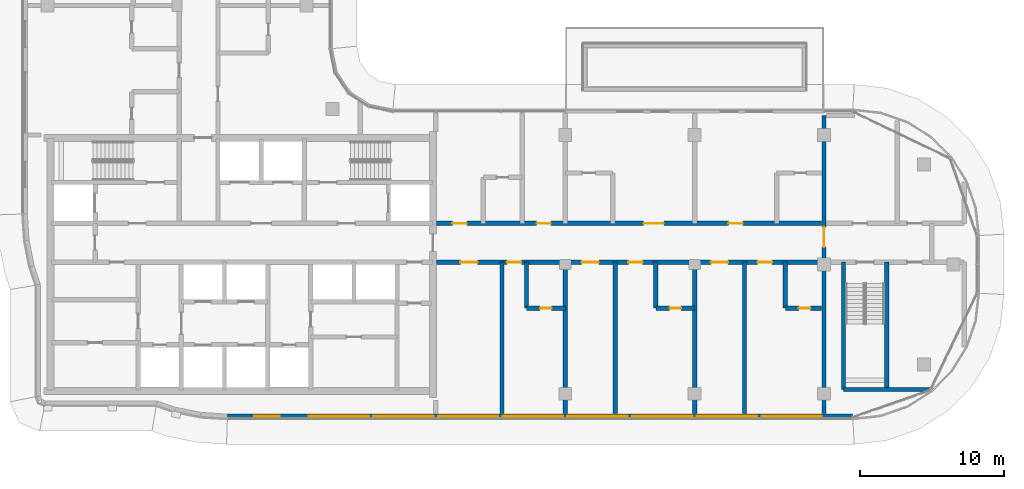
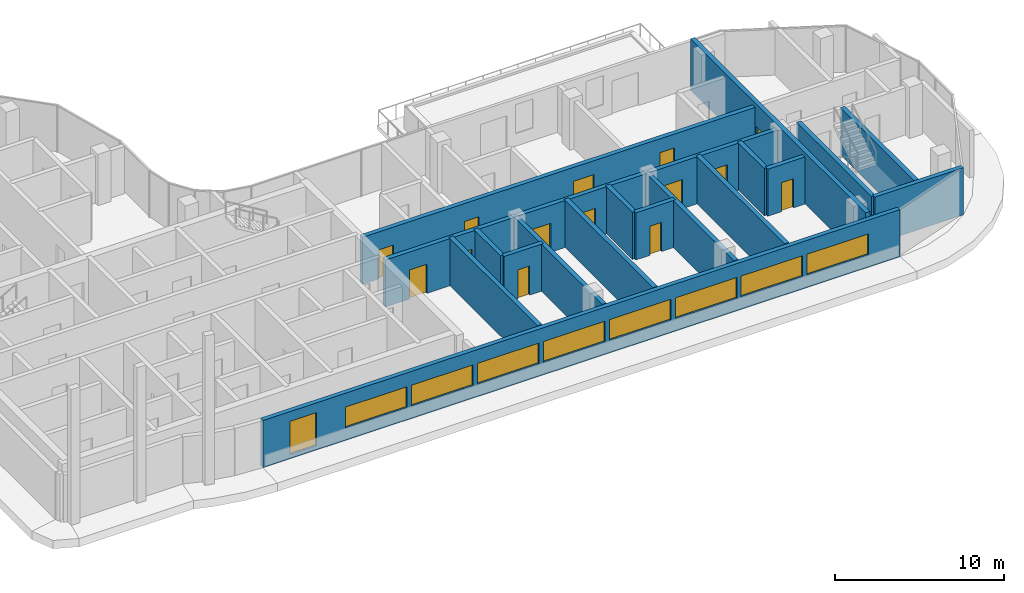
# One storey, part 11 of 20: 18 walls, 14 doors, 9 windows, 23 openings.
"""IFC4 building model written with IfcOpenShell, lengths in metres."""

from ifc_helpers import new_model, si_unit, direction, frame, frame_2d, origin, place, context, subcontext, project, spatial, rectangle, extrude, material, layer, layer_set, type_object, element, fill, save


model = new_model("IFC4")

# Units and contexts
model_context = context("Model", 3, precision=1e-05, world=origin(), true_north=direction((0.0, 1.0)))
body_context = subcontext(model_context, "Body", "Model", "MODEL_VIEW")
ifc_project = project(units=[si_unit("LENGTHUNIT", "METRE"), si_unit("AREAUNIT", "SQUARE_METRE"), si_unit("VOLUMEUNIT", "CUBIC_METRE"), si_unit("PLANEANGLEUNIT", "RADIAN"), si_unit("MASSUNIT", "GRAM", prefix="KILO")], contexts=[model_context])

# Site, building, storey
site_placement = place(None, origin())
site = spatial("IfcSite", under=ifc_project, at=site_placement, CompositionType="ELEMENT")
building_placement = place(site_placement, origin())
building = spatial("IfcBuilding", under=site, at=building_placement, Name="Ogive Portal Towers", CompositionType="ELEMENT")
storey_placement = place(building_placement, frame((0.0, 0.0, 195.800048828125)))
storey = spatial("IfcBuildingStorey", under=building, at=storey_placement, Name="L48", CompositionType="ELEMENT", Elevation=195.800048828125)

# Wall, openings, windows
ifc_material_1 = material(Name="Limestone cladding on lightweight block wall", Category="masonry")
ifc_layer_1 = layer(ifc_material_1, 0.300048828125)
ifc_layer_set_1 = layer_set([ifc_layer_1], Name="EXTERNAL WALL 300 STONE")
wall_type_1 = type_object("IfcWallType", Name="EXTERNAL WALL 300 STONE", PredefinedType="SOLIDWALL", material=ifc_layer_set_1)
wall_1_placement = place(storey_placement, frame((44.009765625, 19.93505859375, 0.0), z_axis=(0.0, 0.0, 1.0), x_axis=(1.0, 0.0, 0.0)))
wall_1 = element("IfcWall", 1, at=wall_1_placement, inside=storey, type_object=wall_type_1, Name="A:L48:f07:r0:wall", PredefinedType="SOLIDWALL", context=body_context, shape_type="SweptSolid", body=[
    extrude(rectangle(XDim=43.4765625, YDim=0.300048828125, at=frame_2d((21.73828125, 0.0))), origin(), (0.0, 0.0, 1.0), 3.39990234375),
])
opening_1_placement = place(wall_1_placement, frame((1.844970703125, 0.0, 0.300048828125)))
opening_1 = element("IfcOpeningElement", 2, at=opening_1_placement, cuts=wall_1, Name="Opening WN10", PredefinedType="OPENING", context=body_context, shape_type="SweptSolid", body=[
    extrude(rectangle(XDim=1.800048828125, YDim=2.39990234375, at=frame_2d((0.89990234375, 1.199951171875))), frame((0.0, 0.16015625, 0.0), z_axis=(0.0, -1.0, 0.0), x_axis=(1.0, 0.0, 0.0)), (0.0, 0.0, 1.0), 0.320068359375),
])
opening_2_placement = place(wall_1_placement, frame((5.64013671875, 0.0, 0.89990234375)))
opening_2 = element("IfcOpeningElement", 3, at=opening_2_placement, cuts=wall_1, Name="Opening WN11", PredefinedType="OPENING", context=body_context, shape_type="SweptSolid", body=[
    extrude(rectangle(XDim=4.199951171875, YDim=1.5, at=frame_2d((2.10009765625, 0.75))), frame((0.0, 0.16015625, 0.0), z_axis=(0.0, -1.0, 0.0), x_axis=(1.0, 0.0, 0.0)), (0.0, 0.0, 1.0), 0.320068359375),
])
opening_3_placement = place(wall_1_placement, frame((10.14013671875, 0.0, 0.89990234375)))
opening_3 = element("IfcOpeningElement", 4, at=opening_3_placement, cuts=wall_1, Name="Opening WN11", PredefinedType="OPENING", context=body_context, shape_type="SweptSolid", body=[
    extrude(rectangle(XDim=4.199951171875, YDim=1.5, at=frame_2d((2.10009765625, 0.75))), frame((0.0, 0.16015625, 0.0), z_axis=(0.0, -1.0, 0.0), x_axis=(1.0, 0.0, 0.0)), (0.0, 0.0, 1.0), 0.320068359375),
])
opening_4_placement = place(wall_1_placement, frame((14.64013671875, 0.0, 0.89990234375)))
opening_4 = element("IfcOpeningElement", 5, at=opening_4_placement, cuts=wall_1, Name="Opening WN11", PredefinedType="OPENING", context=body_context, shape_type="SweptSolid", body=[
    extrude(rectangle(XDim=4.199951171875, YDim=1.5, at=frame_2d((2.10009765625, 0.75))), frame((0.0, 0.16015625, 0.0), z_axis=(0.0, -1.0, 0.0), x_axis=(1.0, 0.0, 0.0)), (0.0, 0.0, 1.0), 0.320068359375),
])
opening_5_placement = place(wall_1_placement, frame((19.14013671875, 0.0, 0.89990234375)))
opening_5 = element("IfcOpeningElement", 6, at=opening_5_placement, cuts=wall_1, Name="Opening WN11", PredefinedType="OPENING", context=body_context, shape_type="SweptSolid", body=[
    extrude(rectangle(XDim=4.199951171875, YDim=1.5, at=frame_2d((2.10009765625, 0.75))), frame((0.0, 0.16015625, 0.0), z_axis=(0.0, -1.0, 0.0), x_axis=(1.0, 0.0, 0.0)), (0.0, 0.0, 1.0), 0.320068359375),
])
opening_6_placement = place(wall_1_placement, frame((23.64013671875, 0.0, 0.89990234375)))
opening_6 = element("IfcOpeningElement", 7, at=opening_6_placement, cuts=wall_1, Name="Opening WN11", PredefinedType="OPENING", context=body_context, shape_type="SweptSolid", body=[
    extrude(rectangle(XDim=4.199951171875, YDim=1.5, at=frame_2d((2.10009765625, 0.75))), frame((0.0, 0.16015625, 0.0), z_axis=(0.0, -1.0, 0.0), x_axis=(1.0, 0.0, 0.0)), (0.0, 0.0, 1.0), 0.320068359375),
])
opening_7_placement = place(wall_1_placement, frame((28.14013671875, 0.0, 0.89990234375)))
opening_7 = element("IfcOpeningElement", 8, at=opening_7_placement, cuts=wall_1, Name="Opening WN11", PredefinedType="OPENING", context=body_context, shape_type="SweptSolid", body=[
    extrude(rectangle(XDim=4.199951171875, YDim=1.5, at=frame_2d((2.10009765625, 0.75))), frame((0.0, 0.16015625, 0.0), z_axis=(0.0, -1.0, 0.0), x_axis=(1.0, 0.0, 0.0)), (0.0, 0.0, 1.0), 0.320068359375),
])
opening_8_placement = place(wall_1_placement, frame((32.64013671875, 0.0, 0.89990234375)))
opening_8 = element("IfcOpeningElement", 9, at=opening_8_placement, cuts=wall_1, Name="Opening WN11", PredefinedType="OPENING", context=body_context, shape_type="SweptSolid", body=[
    extrude(rectangle(XDim=4.199951171875, YDim=1.5, at=frame_2d((2.10009765625, 0.75))), frame((0.0, 0.16015625, 0.0), z_axis=(0.0, -1.0, 0.0), x_axis=(1.0, 0.0, 0.0)), (0.0, 0.0, 1.0), 0.320068359375),
])
opening_9_placement = place(wall_1_placement, frame((37.14013671875, 0.0, 0.89990234375)))
opening_9 = element("IfcOpeningElement", 10, at=opening_9_placement, cuts=wall_1, Name="Opening WN11", PredefinedType="OPENING", context=body_context, shape_type="SweptSolid", body=[
    extrude(rectangle(XDim=4.199951171875, YDim=1.5, at=frame_2d((2.10009765625, 0.75))), frame((0.0, 0.16015625, 0.0), z_axis=(0.0, -1.0, 0.0), x_axis=(1.0, 0.0, 0.0)), (0.0, 0.0, 1.0), 0.320068359375),
])
ifc_material_2 = material(Name="Glass, clear low-iron insulated glazing", Category="glass")
window_type_1 = type_object("IfcWindowType", Name="WINDOW RIBBON 4200x1500", PartitioningType="TRIPLE_PANEL_VERTICAL", PredefinedType="WINDOW", material=ifc_material_2)
window_1_placement = place(opening_2_placement, origin())
window_1 = element("IfcWindow", 11, at=window_1_placement, inside=storey, type_object=window_type_1, Name="A:L48:f07:r0:w1", OverallHeight=1.5, OverallWidth=4.199951171875, PartitioningType="SINGLE_PANEL", PredefinedType="WINDOW", context=body_context, shape_type="SweptSolid", body=[
    extrude(rectangle(XDim=4.199951171875, YDim=1.5, at=frame_2d((2.10009765625, 0.75))), frame((0.0, 0.030029296875, 0.0), z_axis=(0.0, -1.0, 0.0), x_axis=(1.0, 0.0, 0.0)), (0.0, 0.0, 1.0), 0.06005859375),
])
fill(opening_2, window_1)
window_2_placement = place(opening_3_placement, origin())
window_2 = element("IfcWindow", 12, at=window_2_placement, inside=storey, type_object=window_type_1, Name="A:L48:f07:r0:w2", OverallHeight=1.5, OverallWidth=4.199951171875, PartitioningType="SINGLE_PANEL", PredefinedType="WINDOW", context=body_context, shape_type="SweptSolid", body=[
    extrude(rectangle(XDim=4.199951171875, YDim=1.5, at=frame_2d((2.10009765625, 0.75))), frame((0.0, 0.030029296875, 0.0), z_axis=(0.0, -1.0, 0.0), x_axis=(1.0, 0.0, 0.0)), (0.0, 0.0, 1.0), 0.06005859375),
])
fill(opening_3, window_2)
window_3_placement = place(opening_4_placement, origin())
window_3 = element("IfcWindow", 13, at=window_3_placement, inside=storey, type_object=window_type_1, Name="A:L48:f07:r0:w3", OverallHeight=1.5, OverallWidth=4.199951171875, PartitioningType="SINGLE_PANEL", PredefinedType="WINDOW", context=body_context, shape_type="SweptSolid", body=[
    extrude(rectangle(XDim=4.199951171875, YDim=1.5, at=frame_2d((2.10009765625, 0.75))), frame((0.0, 0.030029296875, 0.0), z_axis=(0.0, -1.0, 0.0), x_axis=(1.0, 0.0, 0.0)), (0.0, 0.0, 1.0), 0.06005859375),
])
fill(opening_4, window_3)
window_4_placement = place(opening_5_placement, origin())
window_4 = element("IfcWindow", 14, at=window_4_placement, inside=storey, type_object=window_type_1, Name="A:L48:f07:r0:w4", OverallHeight=1.5, OverallWidth=4.199951171875, PartitioningType="SINGLE_PANEL", PredefinedType="WINDOW", context=body_context, shape_type="SweptSolid", body=[
    extrude(rectangle(XDim=4.199951171875, YDim=1.5, at=frame_2d((2.10009765625, 0.75))), frame((0.0, 0.030029296875, 0.0), z_axis=(0.0, -1.0, 0.0), x_axis=(1.0, 0.0, 0.0)), (0.0, 0.0, 1.0), 0.06005859375),
])
fill(opening_5, window_4)
window_5_placement = place(opening_6_placement, origin())
window_5 = element("IfcWindow", 15, at=window_5_placement, inside=storey, type_object=window_type_1, Name="A:L48:f07:r0:w5", OverallHeight=1.5, OverallWidth=4.199951171875, PartitioningType="SINGLE_PANEL", PredefinedType="WINDOW", context=body_context, shape_type="SweptSolid", body=[
    extrude(rectangle(XDim=4.199951171875, YDim=1.5, at=frame_2d((2.10009765625, 0.75))), frame((0.0, 0.030029296875, 0.0), z_axis=(0.0, -1.0, 0.0), x_axis=(1.0, 0.0, 0.0)), (0.0, 0.0, 1.0), 0.06005859375),
])
fill(opening_6, window_5)
window_6_placement = place(opening_7_placement, origin())
window_6 = element("IfcWindow", 16, at=window_6_placement, inside=storey, type_object=window_type_1, Name="A:L48:f07:r0:w6", OverallHeight=1.5, OverallWidth=4.199951171875, PartitioningType="SINGLE_PANEL", PredefinedType="WINDOW", context=body_context, shape_type="SweptSolid", body=[
    extrude(rectangle(XDim=4.199951171875, YDim=1.5, at=frame_2d((2.10009765625, 0.75))), frame((0.0, 0.030029296875, 0.0), z_axis=(0.0, -1.0, 0.0), x_axis=(1.0, 0.0, 0.0)), (0.0, 0.0, 1.0), 0.06005859375),
])
fill(opening_7, window_6)
window_7_placement = place(opening_8_placement, origin())
window_7 = element("IfcWindow", 17, at=window_7_placement, inside=storey, type_object=window_type_1, Name="A:L48:f07:r0:w7", OverallHeight=1.5, OverallWidth=4.199951171875, PartitioningType="SINGLE_PANEL", PredefinedType="WINDOW", context=body_context, shape_type="SweptSolid", body=[
    extrude(rectangle(XDim=4.199951171875, YDim=1.5, at=frame_2d((2.10009765625, 0.75))), frame((0.0, 0.030029296875, 0.0), z_axis=(0.0, -1.0, 0.0), x_axis=(1.0, 0.0, 0.0)), (0.0, 0.0, 1.0), 0.06005859375),
])
fill(opening_8, window_7)
window_8_placement = place(opening_9_placement, origin())
window_8 = element("IfcWindow", 18, at=window_8_placement, inside=storey, type_object=window_type_1, Name="A:L48:f07:r0:w8", OverallHeight=1.5, OverallWidth=4.199951171875, PartitioningType="SINGLE_PANEL", PredefinedType="WINDOW", context=body_context, shape_type="SweptSolid", body=[
    extrude(rectangle(XDim=4.199951171875, YDim=1.5, at=frame_2d((2.10009765625, 0.75))), frame((0.0, 0.030029296875, 0.0), z_axis=(0.0, -1.0, 0.0), x_axis=(1.0, 0.0, 0.0)), (0.0, 0.0, 1.0), 0.06005859375),
])
fill(opening_9, window_8)
window_type_2 = type_object("IfcWindowType", Name="WINDOW SUITE CORNER 1800x2400", PartitioningType="DOUBLE_PANEL_VERTICAL", PredefinedType="WINDOW", material=ifc_material_2)
window_9_placement = place(opening_1_placement, origin())
window_9 = element("IfcWindow", 19, at=window_9_placement, inside=storey, type_object=window_type_2, Name="A:L48:f07:r0:w0", OverallHeight=2.39990234375, OverallWidth=1.800048828125, PartitioningType="SINGLE_PANEL", PredefinedType="WINDOW", context=body_context, shape_type="SweptSolid", body=[
    extrude(rectangle(XDim=1.800048828125, YDim=2.39990234375, at=frame_2d((0.89990234375, 1.199951171875))), frame((0.0, 0.030029296875, 0.0), z_axis=(0.0, -1.0, 0.0), x_axis=(1.0, 0.0, 0.0)), (0.0, 0.0, 1.0), 0.06005859375),
])
fill(opening_1, window_9)

# Wall, opening, door
ifc_material_3 = material(Name="Concrete C60/75", Category="concrete")
ifc_layer_2 = layer(ifc_material_3, 0.300048828125)
ifc_layer_set_2 = layer_set([ifc_layer_2], Name="REVEAL WALL 300 C60")
wall_type_2 = type_object("IfcWallType", Name="REVEAL WALL 300 C60", PredefinedType="SHEAR", material=ifc_layer_set_2)
wall_2_placement = place(storey_placement, frame((85.5, 20.135009765625, 0.0), z_axis=(0.0, 0.0, 1.0), x_axis=(0.0, 1.0, 0.0)))
wall_2 = element("IfcWall", 20, at=wall_2_placement, inside=storey, type_object=wall_type_2, Name="Portal reveal wall L48", PredefinedType="SHEAR", context=body_context, shape_type="SweptSolid", body=[
    extrude(rectangle(XDim=20.72998046875, YDim=0.300048828125, at=frame_2d((10.364990234375, 0.0))), origin(), (0.0, 0.0, 1.0), 3.699951171875),
])
opening_10_placement = place(wall_2_placement, frame((11.56494140625, 0.0, 0.0)))
opening_10 = element("IfcOpeningElement", 21, at=opening_10_placement, cuts=wall_2, Name="Opening D35-058", PredefinedType="OPENING", context=body_context, shape_type="SweptSolid", body=[
    extrude(rectangle(XDim=1.39990234375, YDim=2.10009765625, at=frame_2d((0.699951171875, 1.050048828125))), frame((0.0, 0.16015625, 0.0), z_axis=(0.0, -1.0, 0.0), x_axis=(1.0, 0.0, 0.0)), (0.0, 0.0, 1.0), 0.320068359375),
])
ifc_material_4 = material(Name="Steel fire door", Category="steel")
door_type_1 = type_object("IfcDoorType", Name="DT-STAIR-1400x2100-FD90S", OperationType="SINGLE_SWING_LEFT", PredefinedType="DOOR", material=ifc_material_4)
door_1_placement = place(opening_10_placement, origin())
door_1 = element("IfcDoor", 22, at=door_1_placement, inside=storey, type_object=door_type_1, Name="Door D35-058", OperationType="SINGLE_SWING_RIGHT", OverallHeight=2.10009765625, OverallWidth=1.39990234375, PredefinedType="DOOR", context=body_context, shape_type="SweptSolid", body=[
    extrude(rectangle(XDim=1.39990234375, YDim=2.10009765625, at=frame_2d((0.699951171875, 1.050048828125))), frame((0.0, 0.02490234375, 0.0), z_axis=(0.0, -1.0, 0.0), x_axis=(1.0, 0.0, 0.0)), (0.0, 0.0, 1.0), 0.050048828125),
])
fill(opening_10, door_1)

# Walls
ifc_material_5 = material(Name="Concrete C50/60", Category="concrete")
ifc_layer_3 = layer(ifc_material_5, 0.300048828125)
ifc_layer_set_3 = layer_set([ifc_layer_3], Name="STAIR WALL 300 C50")
wall_type_3 = type_object("IfcWallType", Name="STAIR WALL 300 C50", PredefinedType="SHEAR", material=ifc_layer_set_3)
wall_3_placement = place(storey_placement, frame((86.85009765625, 21.800048828125, 0.0), z_axis=(0.0, 0.0, 1.0), x_axis=(1.0, 0.0, 0.0)))
element("IfcWall", 23, at=wall_3_placement, inside=storey, type_object=wall_type_3, Name="Stair wall ST-A4 L48", PredefinedType="SHEAR", context=body_context, shape_type="SweptSolid", body=[
    extrude(rectangle(XDim=6.0458984375, YDim=0.300048828125, at=frame_2d((3.02294921875, 0.0))), origin(), (0.0, 0.0, 1.0), 3.39990234375),
])
for number, where, z_axis, x_axis, name in (
    (24, (86.85009765625, 21.800048828125, 0.0), (0.0, 0.0, 1.0), (0.0, 1.0, 0.0), "Stair wall ST-A4 L48"),
    (25, (89.85009765625, 21.800048828125, 0.0), (0.0, 0.0, 1.0), (0.0, 1.0, 0.0), "Stair wall ST-A4 L48"),
):
    element("IfcWall", number, at=place(storey_placement, frame(where, z_axis=z_axis, x_axis=x_axis)), inside=storey, type_object=wall_type_3, Name=name, PredefinedType="SHEAR", context=body_context, shape_type="SweptSolid", body=[
        extrude(rectangle(XDim=8.849853515625, YDim=0.300048828125, at=frame_2d((4.4248046875, 0.0))), origin(), (0.0, 0.0, 1.0), 3.39990234375),
    ])

# Wall, openings, doors
ifc_material_6 = material(Name="Gypsum board partition on steel studs", Category="steel")
ifc_layer_4 = layer(ifc_material_6, 0.300048828125)
ifc_layer_set_4 = layer_set([ifc_layer_4], Name="WT-PART-300-EI 120")
wall_type_4 = type_object("IfcWallType", Name="WT-PART-300-EI 120", PredefinedType="PARTITIONING", material=ifc_layer_set_4)
wall_4_placement = place(storey_placement, frame((58.550048828125, 30.64990234375, 0.0), z_axis=(0.0, 0.0, 1.0), x_axis=(1.0, 0.0, 0.0)))
wall_4 = element("IfcWall", 26, at=wall_4_placement, inside=storey, type_object=wall_type_4, Name="Wall L48:w005", PredefinedType="PARTITIONING", context=body_context, shape_type="SweptSolid", body=[
    extrude(rectangle(XDim=26.780029296875, YDim=0.300048828125, at=frame_2d((13.39013671875, 0.0))), origin(), (0.0, 0.0, 1.0), 3.39990234375),
])
opening_11_placement = place(wall_4_placement, frame((1.64990234375, 0.0, 0.0)))
opening_11 = element("IfcOpeningElement", 27, at=opening_11_placement, cuts=wall_4, Name="Opening D35-030", PredefinedType="OPENING", context=body_context, shape_type="SweptSolid", body=[
    extrude(rectangle(XDim=1.199951171875, YDim=2.10009765625, at=frame_2d((0.60009765625, 1.050048828125))), frame((0.0, 0.16015625, 0.0), z_axis=(0.0, -1.0, 0.0), x_axis=(1.0, 0.0, 0.0)), (0.0, 0.0, 1.0), 0.320068359375),
])
opening_12_placement = place(wall_4_placement, frame((4.89990234375, 0.0, 0.0)))
opening_12 = element("IfcOpeningElement", 28, at=opening_12_placement, cuts=wall_4, Name="Opening D35-032", PredefinedType="OPENING", context=body_context, shape_type="SweptSolid", body=[
    extrude(rectangle(XDim=1.0, YDim=2.10009765625, at=frame_2d((0.5, 1.050048828125))), frame((0.0, 0.16015625, 0.0), z_axis=(0.0, -1.0, 0.0), x_axis=(1.0, 0.0, 0.0)), (0.0, 0.0, 1.0), 0.320068359375),
])
opening_13_placement = place(wall_4_placement, frame((10.0849609375, 0.0, 0.0)))
opening_13 = element("IfcOpeningElement", 29, at=opening_13_placement, cuts=wall_4, Name="Opening D35-035", PredefinedType="OPENING", context=body_context, shape_type="SweptSolid", body=[
    extrude(rectangle(XDim=1.199951171875, YDim=2.10009765625, at=frame_2d((0.60009765625, 1.050048828125))), frame((0.0, 0.16015625, 0.0), z_axis=(0.0, -1.0, 0.0), x_axis=(1.0, 0.0, 0.0)), (0.0, 0.0, 1.0), 0.320068359375),
])
opening_14_placement = place(wall_4_placement, frame((13.3349609375, 0.0, 0.0)))
opening_14 = element("IfcOpeningElement", 30, at=opening_14_placement, cuts=wall_4, Name="Opening D35-037", PredefinedType="OPENING", context=body_context, shape_type="SweptSolid", body=[
    extrude(rectangle(XDim=1.0, YDim=2.10009765625, at=frame_2d((0.5, 1.050048828125))), frame((0.0, 0.16015625, 0.0), z_axis=(0.0, -1.0, 0.0), x_axis=(1.0, 0.0, 0.0)), (0.0, 0.0, 1.0), 0.320068359375),
])
opening_15_placement = place(wall_4_placement, frame((19.0849609375, 0.0, 0.0)))
opening_15 = element("IfcOpeningElement", 31, at=opening_15_placement, cuts=wall_4, Name="Opening D35-040", PredefinedType="OPENING", context=body_context, shape_type="SweptSolid", body=[
    extrude(rectangle(XDim=1.199951171875, YDim=2.10009765625, at=frame_2d((0.60009765625, 1.050048828125))), frame((0.0, 0.16015625, 0.0), z_axis=(0.0, -1.0, 0.0), x_axis=(1.0, 0.0, 0.0)), (0.0, 0.0, 1.0), 0.320068359375),
])
opening_16_placement = place(wall_4_placement, frame((22.3349609375, 0.0, 0.0)))
opening_16 = element("IfcOpeningElement", 32, at=opening_16_placement, cuts=wall_4, Name="Opening D35-042", PredefinedType="OPENING", context=body_context, shape_type="SweptSolid", body=[
    extrude(rectangle(XDim=1.0, YDim=2.10009765625, at=frame_2d((0.5, 1.050048828125))), frame((0.0, 0.16015625, 0.0), z_axis=(0.0, -1.0, 0.0), x_axis=(1.0, 0.0, 0.0)), (0.0, 0.0, 1.0), 0.320068359375),
])
door_type_2 = type_object("IfcDoorType", Name="DT-ENTRY-1000x2100-FD90S", OperationType="SINGLE_SWING_LEFT", PredefinedType="DOOR", material=ifc_material_4)
door_2_placement = place(opening_12_placement, origin())
door_2 = element("IfcDoor", 33, at=door_2_placement, inside=storey, type_object=door_type_2, Name="Door D35-032", OperationType="SINGLE_SWING_LEFT", OverallHeight=2.10009765625, OverallWidth=1.0, PredefinedType="DOOR", context=body_context, shape_type="SweptSolid", body=[
    extrude(rectangle(XDim=1.0, YDim=2.10009765625, at=frame_2d((0.5, 1.050048828125))), frame((0.0, 0.02490234375, 0.0), z_axis=(0.0, -1.0, 0.0), x_axis=(1.0, 0.0, 0.0)), (0.0, 0.0, 1.0), 0.050048828125),
])
fill(opening_12, door_2)
door_3_placement = place(opening_14_placement, origin())
door_3 = element("IfcDoor", 34, at=door_3_placement, inside=storey, type_object=door_type_2, Name="Door D35-037", OperationType="SINGLE_SWING_LEFT", OverallHeight=2.10009765625, OverallWidth=1.0, PredefinedType="DOOR", context=body_context, shape_type="SweptSolid", body=[
    extrude(rectangle(XDim=1.0, YDim=2.10009765625, at=frame_2d((0.5, 1.050048828125))), frame((0.0, 0.02490234375, 0.0), z_axis=(0.0, -1.0, 0.0), x_axis=(1.0, 0.0, 0.0)), (0.0, 0.0, 1.0), 0.050048828125),
])
fill(opening_14, door_3)
door_4_placement = place(opening_16_placement, origin())
door_4 = element("IfcDoor", 35, at=door_4_placement, inside=storey, type_object=door_type_2, Name="Door D35-042", OperationType="SINGLE_SWING_RIGHT", OverallHeight=2.10009765625, OverallWidth=1.0, PredefinedType="DOOR", context=body_context, shape_type="SweptSolid", body=[
    extrude(rectangle(XDim=1.0, YDim=2.10009765625, at=frame_2d((0.5, 1.050048828125))), frame((0.0, 0.02490234375, 0.0), z_axis=(0.0, -1.0, 0.0), x_axis=(1.0, 0.0, 0.0)), (0.0, 0.0, 1.0), 0.050048828125),
])
fill(opening_16, door_4)
door_type_3 = type_object("IfcDoorType", Name="DT-ENTRY-1200x2100-FD90S", OperationType="SINGLE_SWING_LEFT", PredefinedType="DOOR", material=ifc_material_4)
door_5_placement = place(opening_11_placement, origin())
door_5 = element("IfcDoor", 36, at=door_5_placement, inside=storey, type_object=door_type_3, Name="Door D35-030", OperationType="SINGLE_SWING_LEFT", OverallHeight=2.10009765625, OverallWidth=1.199951171875, PredefinedType="DOOR", context=body_context, shape_type="SweptSolid", body=[
    extrude(rectangle(XDim=1.199951171875, YDim=2.10009765625, at=frame_2d((0.60009765625, 1.050048828125))), frame((0.0, 0.02490234375, 0.0), z_axis=(0.0, -1.0, 0.0), x_axis=(1.0, 0.0, 0.0)), (0.0, 0.0, 1.0), 0.050048828125),
])
fill(opening_11, door_5)
door_6_placement = place(opening_13_placement, origin())
door_6 = element("IfcDoor", 37, at=door_6_placement, inside=storey, type_object=door_type_3, Name="Door D35-035", OperationType="SINGLE_SWING_RIGHT", OverallHeight=2.10009765625, OverallWidth=1.199951171875, PredefinedType="DOOR", context=body_context, shape_type="SweptSolid", body=[
    extrude(rectangle(XDim=1.199951171875, YDim=2.10009765625, at=frame_2d((0.60009765625, 1.050048828125))), frame((0.0, 0.02490234375, 0.0), z_axis=(0.0, -1.0, 0.0), x_axis=(1.0, 0.0, 0.0)), (0.0, 0.0, 1.0), 0.050048828125),
])
fill(opening_13, door_6)
door_7_placement = place(opening_15_placement, origin())
door_7 = element("IfcDoor", 38, at=door_7_placement, inside=storey, type_object=door_type_3, Name="Door D35-040", OperationType="SINGLE_SWING_LEFT", OverallHeight=2.10009765625, OverallWidth=1.199951171875, PredefinedType="DOOR", context=body_context, shape_type="SweptSolid", body=[
    extrude(rectangle(XDim=1.199951171875, YDim=2.10009765625, at=frame_2d((0.60009765625, 1.050048828125))), frame((0.0, 0.02490234375, 0.0), z_axis=(0.0, -1.0, 0.0), x_axis=(1.0, 0.0, 0.0)), (0.0, 0.0, 1.0), 0.050048828125),
])
fill(opening_15, door_7)

wall_5_placement = place(storey_placement, frame((58.550048828125, 33.35009765625, 0.0), z_axis=(0.0, 0.0, 1.0), x_axis=(1.0, 0.0, 0.0)))
wall_5 = element("IfcWall", 39, at=wall_5_placement, inside=storey, type_object=wall_type_4, Name="Wall L48:w007", PredefinedType="PARTITIONING", context=body_context, shape_type="SweptSolid", body=[
    extrude(rectangle(XDim=26.780029296875, YDim=0.300048828125, at=frame_2d((13.39013671875, 0.0))), origin(), (0.0, 0.0, 1.0), 3.39990234375),
])
opening_17_placement = place(wall_5_placement, frame((1.10009765625, 0.0, 0.0)))
opening_17 = element("IfcOpeningElement", 40, at=opening_17_placement, cuts=wall_5, Name="Opening D35-028", PredefinedType="OPENING", context=body_context, shape_type="SweptSolid", body=[
    extrude(rectangle(XDim=1.0, YDim=2.10009765625, at=frame_2d((0.5, 1.050048828125))), frame((0.0, 0.16015625, 0.0), z_axis=(0.0, -1.0, 0.0), x_axis=(1.0, 0.0, 0.0)), (0.0, 0.0, 1.0), 0.320068359375),
])
opening_18_placement = place(wall_5_placement, frame((6.949951171875, 0.0, 0.0)))
opening_18 = element("IfcOpeningElement", 41, at=opening_18_placement, cuts=wall_5, Name="Opening D35-029", PredefinedType="OPENING", context=body_context, shape_type="SweptSolid", body=[
    extrude(rectangle(XDim=1.0, YDim=2.10009765625, at=frame_2d((0.5, 1.050048828125))), frame((0.0, 0.16015625, 0.0), z_axis=(0.0, -1.0, 0.0), x_axis=(1.0, 0.0, 0.0)), (0.0, 0.0, 1.0), 0.320068359375),
])
opening_19_placement = place(wall_5_placement, frame((14.39990234375, 0.0, 0.0)))
opening_19 = element("IfcOpeningElement", 42, at=opening_19_placement, cuts=wall_5, Name="Opening D35-033", PredefinedType="OPENING", context=body_context, shape_type="SweptSolid", body=[
    extrude(rectangle(XDim=1.39990234375, YDim=2.39990234375, at=frame_2d((0.699951171875, 1.199951171875))), frame((0.0, 0.16015625, 0.0), z_axis=(0.0, -1.0, 0.0), x_axis=(1.0, 0.0, 0.0)), (0.0, 0.0, 1.0), 0.320068359375),
])
opening_20_placement = place(wall_5_placement, frame((20.300048828125, 0.0, 0.0)))
opening_20 = element("IfcOpeningElement", 43, at=opening_20_placement, cuts=wall_5, Name="Opening D35-039", PredefinedType="OPENING", context=body_context, shape_type="SweptSolid", body=[
    extrude(rectangle(XDim=1.0, YDim=2.39990234375, at=frame_2d((0.5, 1.199951171875))), frame((0.0, 0.16015625, 0.0), z_axis=(0.0, -1.0, 0.0), x_axis=(1.0, 0.0, 0.0)), (0.0, 0.0, 1.0), 0.320068359375),
])
door_8_placement = place(opening_17_placement, origin())
door_8 = element("IfcDoor", 44, at=door_8_placement, inside=storey, type_object=door_type_2, Name="Door D35-028", OperationType="SINGLE_SWING_LEFT", OverallHeight=2.10009765625, OverallWidth=1.0, PredefinedType="DOOR", context=body_context, shape_type="SweptSolid", body=[
    extrude(rectangle(XDim=1.0, YDim=2.10009765625, at=frame_2d((0.5, 1.050048828125))), frame((0.0, 0.02490234375, 0.0), z_axis=(0.0, -1.0, 0.0), x_axis=(1.0, 0.0, 0.0)), (0.0, 0.0, 1.0), 0.050048828125),
])
fill(opening_17, door_8)
door_9_placement = place(opening_18_placement, origin())
door_9 = element("IfcDoor", 45, at=door_9_placement, inside=storey, type_object=door_type_2, Name="Door D35-029", OperationType="SINGLE_SWING_RIGHT", OverallHeight=2.10009765625, OverallWidth=1.0, PredefinedType="DOOR", context=body_context, shape_type="SweptSolid", body=[
    extrude(rectangle(XDim=1.0, YDim=2.10009765625, at=frame_2d((0.5, 1.050048828125))), frame((0.0, 0.02490234375, 0.0), z_axis=(0.0, -1.0, 0.0), x_axis=(1.0, 0.0, 0.0)), (0.0, 0.0, 1.0), 0.050048828125),
])
fill(opening_18, door_9)
door_type_4 = type_object("IfcDoorType", Name="DT-ENTRY-1000x2400-FD90S", OperationType="SINGLE_SWING_LEFT", PredefinedType="DOOR", material=ifc_material_4)
door_10_placement = place(opening_20_placement, origin())
door_10 = element("IfcDoor", 46, at=door_10_placement, inside=storey, type_object=door_type_4, Name="Door D35-039", OperationType="SINGLE_SWING_RIGHT", OverallHeight=2.39990234375, OverallWidth=1.0, PredefinedType="DOOR", context=body_context, shape_type="SweptSolid", body=[
    extrude(rectangle(XDim=1.0, YDim=2.39990234375, at=frame_2d((0.5, 1.199951171875))), frame((0.0, 0.02490234375, 0.0), z_axis=(0.0, -1.0, 0.0), x_axis=(1.0, 0.0, 0.0)), (0.0, 0.0, 1.0), 0.050048828125),
])
fill(opening_20, door_10)
door_type_5 = type_object("IfcDoorType", Name="DT-ENTRY-1400x2400-FD90S", OperationType="SINGLE_SWING_LEFT", PredefinedType="DOOR", material=ifc_material_4)
door_11_placement = place(opening_19_placement, origin())
door_11 = element("IfcDoor", 47, at=door_11_placement, inside=storey, type_object=door_type_5, Name="Door D35-033", OperationType="SINGLE_SWING_LEFT", OverallHeight=2.39990234375, OverallWidth=1.39990234375, PredefinedType="DOOR", context=body_context, shape_type="SweptSolid", body=[
    extrude(rectangle(XDim=1.39990234375, YDim=2.39990234375, at=frame_2d((0.699951171875, 1.199951171875))), frame((0.0, 0.02490234375, 0.0), z_axis=(0.0, -1.0, 0.0), x_axis=(1.0, 0.0, 0.0)), (0.0, 0.0, 1.0), 0.050048828125),
])
fill(opening_19, door_11)

# Wall, opening, door
ifc_layer_5 = layer(ifc_material_6, 0.300048828125)
ifc_layer_set_5 = layer_set([ifc_layer_5], Name="WT-PART-300-EI 60")
wall_type_5 = type_object("IfcWallType", Name="WT-PART-300-EI 60", PredefinedType="PARTITIONING", material=ifc_layer_set_5)
wall_6_placement = place(storey_placement, frame((64.800048828125, 27.449951171875, 0.0), z_axis=(0.0, 0.0, 1.0), x_axis=(1.0, 0.0, 0.0)))
wall_6 = element("IfcWall", 48, at=wall_6_placement, inside=storey, type_object=wall_type_5, Name="Wall L48:w002", PredefinedType="PARTITIONING", context=body_context, shape_type="SweptSolid", body=[
    extrude(rectangle(XDim=2.699951171875, YDim=0.300048828125, at=frame_2d((1.35009765625, 0.0))), origin(), (0.0, 0.0, 1.0), 3.39990234375),
])
opening_21_placement = place(wall_6_placement, frame((0.949951171875, 0.0, 0.0)))
opening_21 = element("IfcOpeningElement", 49, at=opening_21_placement, cuts=wall_6, Name="Opening D35-031", PredefinedType="OPENING", context=body_context, shape_type="SweptSolid", body=[
    extrude(rectangle(XDim=0.800048828125, YDim=2.10009765625, at=frame_2d((0.39990234375, 1.050048828125))), frame((0.0, 0.16015625, 0.0), z_axis=(0.0, -1.0, 0.0), x_axis=(1.0, 0.0, 0.0)), (0.0, 0.0, 1.0), 0.320068359375),
])
door_type_6 = type_object("IfcDoorType", Name="DT-BATH-800x2100-FD60S", OperationType="SINGLE_SWING_LEFT", PredefinedType="DOOR", material=ifc_material_4)
door_12_placement = place(opening_21_placement, origin())
door_12 = element("IfcDoor", 50, at=door_12_placement, inside=storey, type_object=door_type_6, Name="Door D35-031", OperationType="SINGLE_SWING_RIGHT", OverallHeight=2.10009765625, OverallWidth=0.800048828125, PredefinedType="DOOR", context=body_context, shape_type="SweptSolid", body=[
    extrude(rectangle(XDim=0.800048828125, YDim=2.10009765625, at=frame_2d((0.39990234375, 1.050048828125))), frame((0.0, 0.02490234375, 0.0), z_axis=(0.0, -1.0, 0.0), x_axis=(1.0, 0.0, 0.0)), (0.0, 0.0, 1.0), 0.050048828125),
])
fill(opening_21, door_12)

wall_7_placement = place(storey_placement, frame((73.800048828125, 27.449951171875, 0.0), z_axis=(0.0, 0.0, 1.0), x_axis=(1.0, 0.0, 0.0)))
wall_7 = element("IfcWall", 51, at=wall_7_placement, inside=storey, type_object=wall_type_5, Name="Wall L48:w003", PredefinedType="PARTITIONING", context=body_context, shape_type="SweptSolid", body=[
    extrude(rectangle(XDim=2.699951171875, YDim=0.300048828125, at=frame_2d((1.35009765625, 0.0))), origin(), (0.0, 0.0, 1.0), 3.39990234375),
])
opening_22_placement = place(wall_7_placement, frame((0.949951171875, 0.0, 0.0)))
opening_22 = element("IfcOpeningElement", 52, at=opening_22_placement, cuts=wall_7, Name="Opening D35-036", PredefinedType="OPENING", context=body_context, shape_type="SweptSolid", body=[
    extrude(rectangle(XDim=0.800048828125, YDim=2.10009765625, at=frame_2d((0.39990234375, 1.050048828125))), frame((0.0, 0.16015625, 0.0), z_axis=(0.0, -1.0, 0.0), x_axis=(1.0, 0.0, 0.0)), (0.0, 0.0, 1.0), 0.320068359375),
])
door_13_placement = place(opening_22_placement, origin())
door_13 = element("IfcDoor", 53, at=door_13_placement, inside=storey, type_object=door_type_6, Name="Door D35-036", OperationType="SINGLE_SWING_LEFT", OverallHeight=2.10009765625, OverallWidth=0.800048828125, PredefinedType="DOOR", context=body_context, shape_type="SweptSolid", body=[
    extrude(rectangle(XDim=0.800048828125, YDim=2.10009765625, at=frame_2d((0.39990234375, 1.050048828125))), frame((0.0, 0.02490234375, 0.0), z_axis=(0.0, -1.0, 0.0), x_axis=(1.0, 0.0, 0.0)), (0.0, 0.0, 1.0), 0.050048828125),
])
fill(opening_22, door_13)

wall_8_placement = place(storey_placement, frame((82.800048828125, 27.449951171875, 0.0), z_axis=(0.0, 0.0, 1.0), x_axis=(1.0, 0.0, 0.0)))
wall_8 = element("IfcWall", 54, at=wall_8_placement, inside=storey, type_object=wall_type_5, Name="Wall L48:w004", PredefinedType="PARTITIONING", context=body_context, shape_type="SweptSolid", body=[
    extrude(rectangle(XDim=2.530029296875, YDim=0.300048828125, at=frame_2d((1.26513671875, 0.0))), origin(), (0.0, 0.0, 1.0), 3.39990234375),
])
opening_23_placement = place(wall_8_placement, frame((0.949951171875, 0.0, 0.0)))
opening_23 = element("IfcOpeningElement", 55, at=opening_23_placement, cuts=wall_8, Name="Opening D35-041", PredefinedType="OPENING", context=body_context, shape_type="SweptSolid", body=[
    extrude(rectangle(XDim=0.800048828125, YDim=2.10009765625, at=frame_2d((0.39990234375, 1.050048828125))), frame((0.0, 0.16015625, 0.0), z_axis=(0.0, -1.0, 0.0), x_axis=(1.0, 0.0, 0.0)), (0.0, 0.0, 1.0), 0.320068359375),
])
door_14_placement = place(opening_23_placement, origin())
door_14 = element("IfcDoor", 56, at=door_14_placement, inside=storey, type_object=door_type_6, Name="Door D35-041", OperationType="SINGLE_SWING_LEFT", OverallHeight=2.10009765625, OverallWidth=0.800048828125, PredefinedType="DOOR", context=body_context, shape_type="SweptSolid", body=[
    extrude(rectangle(XDim=0.800048828125, YDim=2.10009765625, at=frame_2d((0.39990234375, 1.050048828125))), frame((0.0, 0.02490234375, 0.0), z_axis=(0.0, -1.0, 0.0), x_axis=(1.0, 0.0, 0.0)), (0.0, 0.0, 1.0), 0.050048828125),
])
fill(opening_23, door_14)

# Walls
wall_9_placement = place(storey_placement, frame((63.10009765625, 20.135009765625, 0.0), z_axis=(0.0, 0.0, 1.0), x_axis=(0.0, 1.0, 0.0)))
element("IfcWall", 57, at=wall_9_placement, inside=storey, type_object=wall_type_5, Name="Wall L48:w037", PredefinedType="PARTITIONING", context=body_context, shape_type="SweptSolid", body=[
    extrude(rectangle(XDim=10.514892578125, YDim=0.300048828125, at=frame_2d((5.25732421875, 0.0))), origin(), (0.0, 0.0, 1.0), 3.39990234375),
])
wall_10_placement = place(storey_placement, frame((64.800048828125, 27.449951171875, 0.0), z_axis=(0.0, 0.0, 1.0), x_axis=(0.0, 1.0, 0.0)))
element("IfcWall", 58, at=wall_10_placement, inside=storey, type_object=wall_type_5, Name="Wall L48:w039", PredefinedType="PARTITIONING", context=body_context, shape_type="SweptSolid", body=[
    extrude(rectangle(XDim=3.199951171875, YDim=0.300048828125, at=frame_2d((1.60009765625, 0.0))), origin(), (0.0, 0.0, 1.0), 3.39990234375),
])
for number, where, z_axis, x_axis, name in (
    (59, (67.5, 20.135009765625, 0.0), (0.0, 0.0, 1.0), (0.0, 1.0, 0.0), "Wall L48:w040"),
    (60, (70.969970703125, 20.135009765625, 0.0), (0.0, 0.0, 1.0), (0.0, 1.0, 0.0), "Wall L48:w043"),
):
    element("IfcWall", number, at=place(storey_placement, frame(where, z_axis=z_axis, x_axis=x_axis)), inside=storey, type_object=wall_type_5, Name=name, PredefinedType="PARTITIONING", context=body_context, shape_type="SweptSolid", body=[
        extrude(rectangle(XDim=10.514892578125, YDim=0.300048828125, at=frame_2d((5.25732421875, 0.0))), origin(), (0.0, 0.0, 1.0), 3.39990234375),
    ])
wall_11_placement = place(storey_placement, frame((73.800048828125, 27.449951171875, 0.0), z_axis=(0.0, 0.0, 1.0), x_axis=(0.0, 1.0, 0.0)))
element("IfcWall", 61, at=wall_11_placement, inside=storey, type_object=wall_type_5, Name="Wall L48:w044", PredefinedType="PARTITIONING", context=body_context, shape_type="SweptSolid", body=[
    extrude(rectangle(XDim=3.199951171875, YDim=0.300048828125, at=frame_2d((1.60009765625, 0.0))), origin(), (0.0, 0.0, 1.0), 3.39990234375),
])
for number, where, z_axis, x_axis, name in (
    (62, (76.5, 20.135009765625, 0.0), (0.0, 0.0, 1.0), (0.0, 1.0, 0.0), "Wall L48:w045"),
    (63, (79.969970703125, 20.135009765625, 0.0), (0.0, 0.0, 1.0), (0.0, 1.0, 0.0), "Wall L48:w047"),
):
    element("IfcWall", number, at=place(storey_placement, frame(where, z_axis=z_axis, x_axis=x_axis)), inside=storey, type_object=wall_type_5, Name=name, PredefinedType="PARTITIONING", context=body_context, shape_type="SweptSolid", body=[
        extrude(rectangle(XDim=10.514892578125, YDim=0.300048828125, at=frame_2d((5.25732421875, 0.0))), origin(), (0.0, 0.0, 1.0), 3.39990234375),
    ])
wall_12_placement = place(storey_placement, frame((82.800048828125, 27.449951171875, 0.0), z_axis=(0.0, 0.0, 1.0), x_axis=(0.0, 1.0, 0.0)))
element("IfcWall", 64, at=wall_12_placement, inside=storey, type_object=wall_type_5, Name="Wall L48:w049", PredefinedType="PARTITIONING", context=body_context, shape_type="SweptSolid", body=[
    extrude(rectangle(XDim=3.199951171875, YDim=0.300048828125, at=frame_2d((1.60009765625, 0.0))), origin(), (0.0, 0.0, 1.0), 3.39990234375),
])

save(model, "model.ifc")
